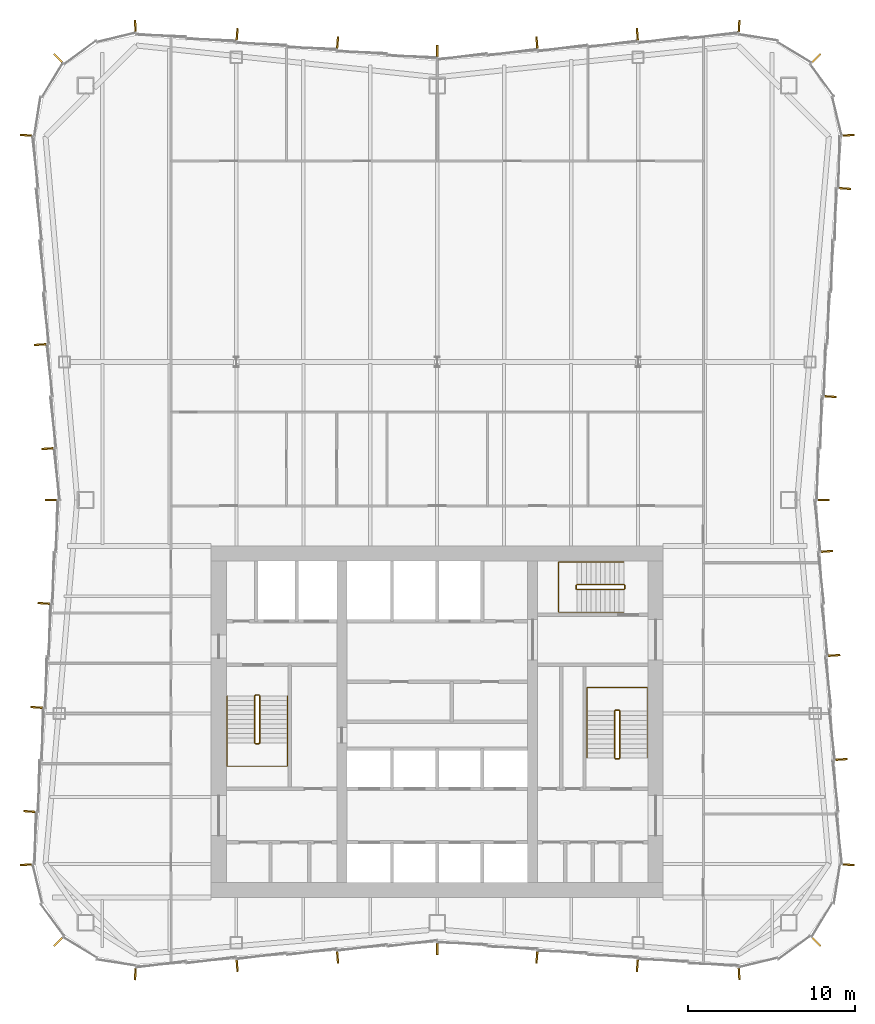
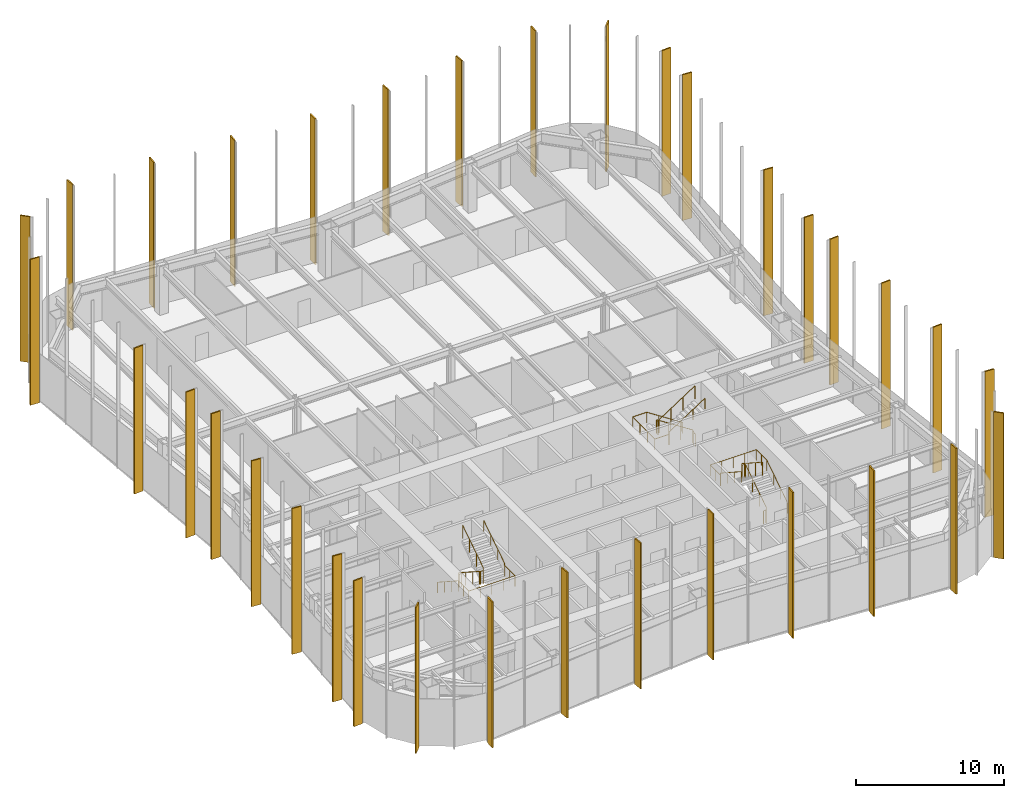
# One storey, part 13 of 13: 34 shading devices, 6 railings.
"""IFC4 building model written with IfcOpenShell, lengths in metres."""

from ifc_helpers import new_model, si_unit, direction, frame, origin, origin_2d, place, context, subcontext, project, spatial, rectangle, circle, extrude, material, layer, layer_set, type_object, element, save


model = new_model("IFC4")

# Units and contexts
model_context = context("Model", 3, precision=1e-05, world=origin(), true_north=direction((0.0, 1.0)))
body_context = subcontext(model_context, "Body", "Model", "MODEL_VIEW")
ifc_project = project(units=[si_unit("LENGTHUNIT", "METRE"), si_unit("AREAUNIT", "SQUARE_METRE"), si_unit("VOLUMEUNIT", "CUBIC_METRE"), si_unit("PLANEANGLEUNIT", "RADIAN"), si_unit("MASSUNIT", "GRAM", prefix="KILO")], contexts=[model_context])

# Site, building, storey
site_placement = place(None, origin())
site = spatial("IfcSite", under=ifc_project, at=site_placement, CompositionType="ELEMENT")
building_placement = place(site_placement, origin())
building = spatial("IfcBuilding", under=site, at=building_placement, Name="Verdant Reach Tower", CompositionType="ELEMENT")
storey_placement = place(building_placement, frame((0.0, 0.0, 194.0)))
storey = spatial("IfcBuildingStorey", under=building, at=storey_placement, Name="L44", CompositionType="ELEMENT", Elevation=194.0)

# Railings
ifc_material_1 = material(Name="Stainless steel", Category="steel")
railing_type_1 = type_object("IfcRailingType", Name="CO-GUARD", PredefinedType="GUARDRAIL", material=ifc_material_1)
railing_1_placement = place(storey_placement, frame((-10.64990234375, 29.60009765625, 0.0)))
element("IfcRailing", 1, at=railing_1_placement, inside=storey, type_object=railing_type_1, Name="L44 ST-1 stair guard 1", PredefinedType="GUARDRAIL", context=body_context, shape_type="SweptSolid", body=[
    extrude(circle(Radius=0.02392578125, at=origin_2d()), frame((0.0, 0.0, 1.076171875), z_axis=(-1.0, 0.0, 0.0), x_axis=(0.0, -1.0, 0.0)), (0.0, 0.0, 1.0), 0.2001953125),
    extrude(circle(Radius=0.02392578125, at=origin_2d()), frame((-0.2001953125, 0.0, 1.076171875), z_axis=(-0.25526617399, -0.256517478764, 0.932222056972), x_axis=(0.708833529934, -0.705375805398, 0.0)), (0.0, 0.0, 1.0), 0.195068359375),
    extrude(circle(Radius=0.02392578125, at=origin_2d()), frame((-0.25, -0.050048828125, 1.2578125), z_axis=(0.0, -0.838705829183, 0.544584733623), x_axis=(1.0, 0.0, 0.0)), (0.0, 0.0, 1.0), 3.338623046875),
    extrude(circle(Radius=0.02392578125, at=origin_2d()), frame((-0.25, -2.85009765625, 3.076171875), z_axis=(0.705375805398, -0.708833529934, 0.0), x_axis=(0.708833529934, 0.705375805398, 0.0)), (0.0, 0.0, 1.0), 0.070556640625),
    extrude(circle(Radius=0.02392578125, at=origin_2d()), frame((-0.2001953125, -2.900146484375, 3.076171875), z_axis=(1.0, 0.0, 0.0), x_axis=(0.0, 1.0, 0.0)), (0.0, 0.0, 1.0), 0.2001953125),
    extrude(circle(Radius=0.02392578125, at=origin_2d()), frame((0.0, -2.900146484375, 3.076171875), z_axis=(0.25526617399, 0.256517478764, 0.932222056972), x_axis=(-0.708833529934, 0.705375805398, 0.0)), (0.0, 0.0, 1.0), 0.195068359375),
    extrude(circle(Radius=0.02392578125, at=origin_2d()), frame((0.0498046875, -2.85009765625, 3.2578125), z_axis=(0.0, 0.838705829183, 0.544584733623), x_axis=(-1.0, 0.0, 0.0)), (0.0, 0.0, 1.0), 3.338623046875),
    extrude(circle(Radius=0.02099609375, at=origin_2d()), origin(), (0.0, 0.0, 1.0), 1.052001953125),
    extrude(circle(Radius=0.02099609375, at=origin_2d()), frame((-0.2001953125, 0.0, 0.0)), (0.0, 0.0, 1.0), 1.052001953125),
    extrude(circle(Radius=0.02099609375, at=origin_2d()), frame((-0.25, -0.050048828125, 0.181884765625)), (0.0, 0.0, 1.0), 1.052001953125),
    extrude(circle(Radius=0.02099609375, at=origin_2d()), frame((-0.25, -0.9833984375, 0.787841796875)), (0.0, 0.0, 1.0), 1.052001953125),
    extrude(circle(Radius=0.02099609375, at=origin_2d()), frame((-0.25, -1.916748046875, 1.39404296875)), (0.0, 0.0, 1.0), 1.052001953125),
    extrude(circle(Radius=0.02099609375, at=origin_2d()), frame((-0.25, -2.85009765625, 2.0)), (0.0, 0.0, 1.0), 1.052001953125),
    extrude(circle(Radius=0.02099609375, at=origin_2d()), frame((-0.2001953125, -2.900146484375, 2.0)), (0.0, 0.0, 1.0), 1.052001953125),
    extrude(circle(Radius=0.02099609375, at=origin_2d()), frame((0.0, -2.900146484375, 2.0)), (0.0, 0.0, 1.0), 1.052001953125),
    extrude(circle(Radius=0.02099609375, at=origin_2d()), frame((0.0498046875, -2.85009765625, 2.181884765625)), (0.0, 0.0, 1.0), 1.052001953125),
    extrude(circle(Radius=0.02099609375, at=origin_2d()), frame((0.0498046875, -1.916748046875, 2.787841796875)), (0.0, 0.0, 1.0), 1.052001953125),
    extrude(circle(Radius=0.02099609375, at=origin_2d()), frame((0.0498046875, -0.9833984375, 3.39404296875)), (0.0, 0.0, 1.0), 1.052001953125),
    extrude(circle(Radius=0.02099609375, at=origin_2d()), frame((0.0498046875, -0.050048828125, 4.0)), (0.0, 0.0, 1.0), 1.052001953125),
])
railing_2_placement = place(storey_placement, frame((10.64990234375, 25.800048828125, 0.0)))
element("IfcRailing", 2, at=railing_2_placement, inside=storey, type_object=railing_type_1, Name="L44 ST-2 stair guard 1", PredefinedType="GUARDRAIL", context=body_context, shape_type="SweptSolid", body=[
    extrude(circle(Radius=0.02392578125, at=origin_2d()), frame((0.0, 0.0, 1.076171875), z_axis=(1.0, 0.0, 0.0), x_axis=(0.0, 1.0, 0.0)), (0.0, 0.0, 1.0), 0.2001953125),
    extrude(circle(Radius=0.02392578125, at=origin_2d()), frame((0.2001953125, 0.0, 1.076171875), z_axis=(0.25526617399, 0.256517478764, 0.932222056972), x_axis=(-0.708833529934, 0.705375805398, 0.0)), (0.0, 0.0, 1.0), 0.195068359375),
    extrude(circle(Radius=0.02392578125, at=origin_2d()), frame((0.25, 0.050048828125, 1.2578125), z_axis=(0.0, 0.83868413941, 0.544618136222), x_axis=(-1.0, 0.0, 0.0)), (0.0, 0.0, 1.0), 3.33837890625),
    extrude(circle(Radius=0.02392578125, at=origin_2d()), frame((0.25, 2.849853515625, 3.076171875), z_axis=(-0.705375805398, 0.708833529934, 0.0), x_axis=(-0.708833529934, -0.705375805398, 0.0)), (0.0, 0.0, 1.0), 0.070556640625),
    extrude(circle(Radius=0.02392578125, at=origin_2d()), frame((0.2001953125, 2.89990234375, 3.076171875), z_axis=(-1.0, 0.0, 0.0), x_axis=(0.0, -1.0, 0.0)), (0.0, 0.0, 1.0), 0.2001953125),
    extrude(circle(Radius=0.02392578125, at=origin_2d()), frame((0.0, 2.89990234375, 3.076171875), z_axis=(-0.25526617399, -0.256517478764, 0.932222056972), x_axis=(0.708833529934, -0.705375805398, 0.0)), (0.0, 0.0, 1.0), 0.195068359375),
    extrude(circle(Radius=0.02392578125, at=origin_2d()), frame((-0.0498046875, 2.849853515625, 3.2578125), z_axis=(0.0, -0.83868413941, 0.544618136222), x_axis=(1.0, 0.0, 0.0)), (0.0, 0.0, 1.0), 3.33837890625),
    extrude(circle(Radius=0.02099609375, at=origin_2d()), origin(), (0.0, 0.0, 1.0), 1.052001953125),
    extrude(circle(Radius=0.02099609375, at=origin_2d()), frame((0.2001953125, 0.0, 0.0)), (0.0, 0.0, 1.0), 1.052001953125),
    extrude(circle(Radius=0.02099609375, at=origin_2d()), frame((0.25, 0.050048828125, 0.181884765625)), (0.0, 0.0, 1.0), 1.052001953125),
    extrude(circle(Radius=0.02099609375, at=origin_2d()), frame((0.25, 0.9833984375, 0.787841796875)), (0.0, 0.0, 1.0), 1.052001953125),
    extrude(circle(Radius=0.02099609375, at=origin_2d()), frame((0.25, 1.91650390625, 1.39404296875)), (0.0, 0.0, 1.0), 1.052001953125),
    extrude(circle(Radius=0.02099609375, at=origin_2d()), frame((0.25, 2.849853515625, 2.0)), (0.0, 0.0, 1.0), 1.052001953125),
    extrude(circle(Radius=0.02099609375, at=origin_2d()), frame((0.2001953125, 2.89990234375, 2.0)), (0.0, 0.0, 1.0), 1.052001953125),
    extrude(circle(Radius=0.02099609375, at=origin_2d()), frame((0.0, 2.89990234375, 2.0)), (0.0, 0.0, 1.0), 1.052001953125),
    extrude(circle(Radius=0.02099609375, at=origin_2d()), frame((-0.0498046875, 2.849853515625, 2.181884765625)), (0.0, 0.0, 1.0), 1.052001953125),
    extrude(circle(Radius=0.02099609375, at=origin_2d()), frame((-0.0498046875, 1.91650390625, 2.787841796875)), (0.0, 0.0, 1.0), 1.052001953125),
    extrude(circle(Radius=0.02099609375, at=origin_2d()), frame((-0.0498046875, 0.9833984375, 3.39404296875)), (0.0, 0.0, 1.0), 1.052001953125),
    extrude(circle(Radius=0.02099609375, at=origin_2d()), frame((-0.0498046875, 0.050048828125, 4.0)), (0.0, 0.0, 1.0), 1.052001953125),
])
railing_3_placement = place(storey_placement, frame((11.199951171875, 35.949951171875, 0.0)))
element("IfcRailing", 3, at=railing_3_placement, inside=storey, type_object=railing_type_1, Name="L44 ST-3 stair guard 1", PredefinedType="GUARDRAIL", context=body_context, shape_type="SweptSolid", body=[
    extrude(circle(Radius=0.02392578125, at=origin_2d()), frame((0.0, 0.0, 1.076171875), z_axis=(0.0, 1.0, 0.0), x_axis=(-1.0, 0.0, 0.0)), (0.0, 0.0, 1.0), 0.199951171875),
    extrude(circle(Radius=0.02392578125, at=origin_2d()), frame((0.0, 0.199951171875, 1.076171875), z_axis=(-0.256435381639, 0.256435381639, 0.931923704005), x_axis=(-0.707106781187, -0.707106781187, 0.0)), (0.0, 0.0, 1.0), 0.195068359375),
    extrude(circle(Radius=0.02392578125, at=origin_2d()), frame((-0.050048828125, 0.25, 1.2578125), z_axis=(-0.83868413941, 0.0, 0.544618136222), x_axis=(0.0, -1.0, 0.0)), (0.0, 0.0, 1.0), 3.33837890625),
    extrude(circle(Radius=0.02392578125, at=origin_2d()), frame((-2.849853515625, 0.25, 3.076171875), z_axis=(-0.707106781187, -0.707106781187, 0.0), x_axis=(0.707106781187, -0.707106781187, 0.0)), (0.0, 0.0, 1.0), 0.07080078125),
    extrude(circle(Radius=0.02392578125, at=origin_2d()), frame((-2.89990234375, 0.199951171875, 3.076171875), z_axis=(0.0, -1.0, 0.0), x_axis=(1.0, 0.0, 0.0)), (0.0, 0.0, 1.0), 0.199951171875),
    extrude(circle(Radius=0.02392578125, at=origin_2d()), frame((-2.89990234375, 0.0, 3.076171875), z_axis=(0.256435381639, -0.256435381639, 0.931923704005), x_axis=(0.707106781187, 0.707106781187, 0.0)), (0.0, 0.0, 1.0), 0.195068359375),
    extrude(circle(Radius=0.02392578125, at=origin_2d()), frame((-2.849853515625, -0.050048828125, 3.2578125), z_axis=(0.83868413941, 0.0, 0.544618136222), x_axis=(0.0, 1.0, 0.0)), (0.0, 0.0, 1.0), 3.33837890625),
    extrude(circle(Radius=0.02099609375, at=origin_2d()), origin(), (0.0, 0.0, 1.0), 1.052001953125),
    extrude(circle(Radius=0.02099609375, at=origin_2d()), frame((0.0, 0.199951171875, 0.0)), (0.0, 0.0, 1.0), 1.052001953125),
    extrude(circle(Radius=0.02099609375, at=origin_2d()), frame((-0.050048828125, 0.25, 0.181884765625)), (0.0, 0.0, 1.0), 1.052001953125),
    extrude(circle(Radius=0.02099609375, at=origin_2d()), frame((-0.9833984375, 0.25, 0.787841796875)), (0.0, 0.0, 1.0), 1.052001953125),
    extrude(circle(Radius=0.02099609375, at=origin_2d()), frame((-1.91650390625, 0.25, 1.39404296875)), (0.0, 0.0, 1.0), 1.052001953125),
    extrude(circle(Radius=0.02099609375, at=origin_2d()), frame((-2.849853515625, 0.25, 2.0)), (0.0, 0.0, 1.0), 1.052001953125),
    extrude(circle(Radius=0.02099609375, at=origin_2d()), frame((-2.89990234375, 0.199951171875, 2.0)), (0.0, 0.0, 1.0), 1.052001953125),
    extrude(circle(Radius=0.02099609375, at=origin_2d()), frame((-2.89990234375, 0.0, 2.0)), (0.0, 0.0, 1.0), 1.052001953125),
    extrude(circle(Radius=0.02099609375, at=origin_2d()), frame((-2.849853515625, -0.050048828125, 2.181884765625)), (0.0, 0.0, 1.0), 1.052001953125),
    extrude(circle(Radius=0.02099609375, at=origin_2d()), frame((-1.91650390625, -0.050048828125, 2.787841796875)), (0.0, 0.0, 1.0), 1.052001953125),
    extrude(circle(Radius=0.02099609375, at=origin_2d()), frame((-0.9833984375, -0.050048828125, 3.39404296875)), (0.0, 0.0, 1.0), 1.052001953125),
    extrude(circle(Radius=0.02099609375, at=origin_2d()), frame((-0.050048828125, -0.050048828125, 4.0)), (0.0, 0.0, 1.0), 1.052001953125),
])
railing_type_2 = type_object("IfcRailingType", Name="CO-HANDRAIL", PredefinedType="HANDRAIL", material=ifc_material_1)
railing_4_placement = place(storey_placement, frame((-12.550048828125, 29.550048828125, 0.181884765625)))
element("IfcRailing", 4, at=railing_4_placement, inside=storey, type_object=railing_type_2, Name="L44 ST-1 stair handrail 1", PredefinedType="HANDRAIL", context=body_context, shape_type="SweptSolid", body=[
    extrude(circle(Radius=0.02392578125, at=origin_2d()), frame((0.0, 0.0, 0.8759765625), z_axis=(0.0, -0.838705829183, 0.544584733623), x_axis=(1.0, 0.0, 0.0)), (0.0, 0.0, 1.0), 3.338623046875),
    extrude(circle(Radius=0.02392578125, at=origin_2d()), frame((0.0, -2.800048828125, 2.69384765625), z_axis=(0.0, -1.0, 0.0), x_axis=(1.0, 0.0, 0.0)), (0.0, 0.0, 1.0), 1.39990234375),
    extrude(circle(Radius=0.02392578125, at=origin_2d()), frame((0.0, -4.199951171875, 2.69384765625), z_axis=(1.0, 0.0, 0.0), x_axis=(0.0, 1.0, 0.0)), (0.0, 0.0, 1.0), 3.60009765625),
    extrude(circle(Radius=0.02392578125, at=origin_2d()), frame((3.60009765625, -4.199951171875, 2.69384765625), z_axis=(0.0, 1.0, 0.0), x_axis=(-1.0, 0.0, 0.0)), (0.0, 0.0, 1.0), 1.39990234375),
    extrude(circle(Radius=0.02392578125, at=origin_2d()), frame((3.60009765625, -2.800048828125, 2.69384765625), z_axis=(0.0, 0.0, 1.0), x_axis=(1.0, 0.0, 0.0)), (0.0, 0.0, 1.0), 0.181884765625),
    extrude(circle(Radius=0.02392578125, at=origin_2d()), frame((3.60009765625, -2.800048828125, 2.8759765625), z_axis=(0.0, 0.838705829183, 0.544584733623), x_axis=(-1.0, 0.0, 0.0)), (0.0, 0.0, 1.0), 3.338623046875),
    extrude(circle(Radius=0.02099609375, at=origin_2d()), origin(), (0.0, 0.0, 1.0), 0.851806640625),
    extrude(circle(Radius=0.02099609375, at=origin_2d()), frame((0.0, -0.933349609375, 0.60595703125)), (0.0, 0.0, 1.0), 0.851806640625),
    extrude(circle(Radius=0.02099609375, at=origin_2d()), frame((0.0, -1.86669921875, 1.212158203125)), (0.0, 0.0, 1.0), 0.851806640625),
    extrude(circle(Radius=0.02099609375, at=origin_2d()), frame((0.0, -2.800048828125, 1.818115234375)), (0.0, 0.0, 1.0), 0.851806640625),
    extrude(circle(Radius=0.02099609375, at=origin_2d()), frame((0.0, -3.5, 1.818115234375)), (0.0, 0.0, 1.0), 0.851806640625),
    extrude(circle(Radius=0.02099609375, at=origin_2d()), frame((0.0, -4.199951171875, 1.818115234375)), (0.0, 0.0, 1.0), 0.851806640625),
    extrude(circle(Radius=0.02099609375, at=origin_2d()), frame((0.89990234375, -4.199951171875, 1.818115234375)), (0.0, 0.0, 1.0), 0.851806640625),
    extrude(circle(Radius=0.02099609375, at=origin_2d()), frame((1.800048828125, -4.199951171875, 1.818115234375)), (0.0, 0.0, 1.0), 0.851806640625),
    extrude(circle(Radius=0.02099609375, at=origin_2d()), frame((2.7001953125, -4.199951171875, 1.818115234375)), (0.0, 0.0, 1.0), 0.851806640625),
    extrude(circle(Radius=0.02099609375, at=origin_2d()), frame((3.60009765625, -4.199951171875, 1.818115234375)), (0.0, 0.0, 1.0), 0.851806640625),
    extrude(circle(Radius=0.02099609375, at=origin_2d()), frame((3.60009765625, -3.5, 1.818115234375)), (0.0, 0.0, 1.0), 0.851806640625),
    extrude(circle(Radius=0.02099609375, at=origin_2d()), frame((3.60009765625, -2.800048828125, 1.818115234375)), (0.0, 0.0, 1.0), 0.851806640625),
    extrude(circle(Radius=0.02099609375, at=origin_2d()), frame((3.60009765625, -2.800048828125, 2.0)), (0.0, 0.0, 1.0), 0.851806640625),
    extrude(circle(Radius=0.02099609375, at=origin_2d()), frame((3.60009765625, -1.86669921875, 2.60595703125)), (0.0, 0.0, 1.0), 0.851806640625),
    extrude(circle(Radius=0.02099609375, at=origin_2d()), frame((3.60009765625, -0.933349609375, 3.212158203125)), (0.0, 0.0, 1.0), 0.851806640625),
    extrude(circle(Radius=0.02099609375, at=origin_2d()), frame((3.60009765625, 0.0, 3.818115234375)), (0.0, 0.0, 1.0), 0.851806640625),
])
railing_5_placement = place(storey_placement, frame((12.550048828125, 25.85009765625, 0.181884765625)))
element("IfcRailing", 5, at=railing_5_placement, inside=storey, type_object=railing_type_2, Name="L44 ST-2 stair handrail 1", PredefinedType="HANDRAIL", context=body_context, shape_type="SweptSolid", body=[
    extrude(circle(Radius=0.02392578125, at=origin_2d()), frame((0.0, 0.0, 0.8759765625), z_axis=(0.0, 0.83868413941, 0.544618136222), x_axis=(-1.0, 0.0, 0.0)), (0.0, 0.0, 1.0), 3.33837890625),
    extrude(circle(Radius=0.02392578125, at=origin_2d()), frame((0.0, 2.7998046875, 2.69384765625), z_axis=(0.0, 1.0, 0.0), x_axis=(-1.0, 0.0, 0.0)), (0.0, 0.0, 1.0), 1.400146484375),
    extrude(circle(Radius=0.02392578125, at=origin_2d()), frame((0.0, 4.199951171875, 2.69384765625), z_axis=(-1.0, 0.0, 0.0), x_axis=(0.0, -1.0, 0.0)), (0.0, 0.0, 1.0), 3.60009765625),
    extrude(circle(Radius=0.02392578125, at=origin_2d()), frame((-3.60009765625, 4.199951171875, 2.69384765625), z_axis=(0.0, -1.0, 0.0), x_axis=(1.0, 0.0, 0.0)), (0.0, 0.0, 1.0), 1.400146484375),
    extrude(circle(Radius=0.02392578125, at=origin_2d()), frame((-3.60009765625, 2.7998046875, 2.69384765625), z_axis=(0.0, 0.0, 1.0), x_axis=(1.0, 0.0, 0.0)), (0.0, 0.0, 1.0), 0.181884765625),
    extrude(circle(Radius=0.02392578125, at=origin_2d()), frame((-3.60009765625, 2.7998046875, 2.8759765625), z_axis=(0.0, -0.83868413941, 0.544618136222), x_axis=(1.0, 0.0, 0.0)), (0.0, 0.0, 1.0), 3.33837890625),
    extrude(circle(Radius=0.02099609375, at=origin_2d()), origin(), (0.0, 0.0, 1.0), 0.851806640625),
    extrude(circle(Radius=0.02099609375, at=origin_2d()), frame((0.0, 0.933349609375, 0.60595703125)), (0.0, 0.0, 1.0), 0.851806640625),
    extrude(circle(Radius=0.02099609375, at=origin_2d()), frame((0.0, 1.866455078125, 1.212158203125)), (0.0, 0.0, 1.0), 0.851806640625),
    extrude(circle(Radius=0.02099609375, at=origin_2d()), frame((0.0, 2.7998046875, 1.818115234375)), (0.0, 0.0, 1.0), 0.851806640625),
    extrude(circle(Radius=0.02099609375, at=origin_2d()), frame((0.0, 3.5, 1.818115234375)), (0.0, 0.0, 1.0), 0.851806640625),
    extrude(circle(Radius=0.02099609375, at=origin_2d()), frame((0.0, 4.199951171875, 1.818115234375)), (0.0, 0.0, 1.0), 0.851806640625),
    extrude(circle(Radius=0.02099609375, at=origin_2d()), frame((-0.89990234375, 4.199951171875, 1.818115234375)), (0.0, 0.0, 1.0), 0.851806640625),
    extrude(circle(Radius=0.02099609375, at=origin_2d()), frame((-1.800048828125, 4.199951171875, 1.818115234375)), (0.0, 0.0, 1.0), 0.851806640625),
    extrude(circle(Radius=0.02099609375, at=origin_2d()), frame((-2.7001953125, 4.199951171875, 1.818115234375)), (0.0, 0.0, 1.0), 0.851806640625),
    extrude(circle(Radius=0.02099609375, at=origin_2d()), frame((-3.60009765625, 4.199951171875, 1.818115234375)), (0.0, 0.0, 1.0), 0.851806640625),
    extrude(circle(Radius=0.02099609375, at=origin_2d()), frame((-3.60009765625, 3.5, 1.818115234375)), (0.0, 0.0, 1.0), 0.851806640625),
    extrude(circle(Radius=0.02099609375, at=origin_2d()), frame((-3.60009765625, 2.7998046875, 1.818115234375)), (0.0, 0.0, 1.0), 0.851806640625),
    extrude(circle(Radius=0.02099609375, at=origin_2d()), frame((-3.60009765625, 2.7998046875, 2.0)), (0.0, 0.0, 1.0), 0.851806640625),
    extrude(circle(Radius=0.02099609375, at=origin_2d()), frame((-3.60009765625, 1.866455078125, 2.60595703125)), (0.0, 0.0, 1.0), 0.851806640625),
    extrude(circle(Radius=0.02099609375, at=origin_2d()), frame((-3.60009765625, 0.933349609375, 3.212158203125)), (0.0, 0.0, 1.0), 0.851806640625),
    extrude(circle(Radius=0.02099609375, at=origin_2d()), frame((-3.60009765625, 0.0, 3.818115234375)), (0.0, 0.0, 1.0), 0.851806640625),
])
railing_6_placement = place(storey_placement, frame((11.14990234375, 37.550048828125, 0.181884765625)))
element("IfcRailing", 6, at=railing_6_placement, inside=storey, type_object=railing_type_2, Name="L44 ST-3 stair handrail 1", PredefinedType="HANDRAIL", context=body_context, shape_type="SweptSolid", body=[
    extrude(circle(Radius=0.02392578125, at=origin_2d()), frame((0.0, 0.0, 0.8759765625), z_axis=(-0.83868413941, 0.0, 0.544618136222), x_axis=(0.0, -1.0, 0.0)), (0.0, 0.0, 1.0), 3.33837890625),
    extrude(circle(Radius=0.02392578125, at=origin_2d()), frame((-2.7998046875, 0.0, 2.69384765625), z_axis=(-1.0, 0.0, 0.0), x_axis=(0.0, -1.0, 0.0)), (0.0, 0.0, 1.0), 1.10009765625),
    extrude(circle(Radius=0.02392578125, at=origin_2d()), frame((-3.89990234375, 0.0, 2.69384765625), z_axis=(0.0, -1.0, 0.0), x_axis=(1.0, 0.0, 0.0)), (0.0, 0.0, 1.0), 3.0),
    extrude(circle(Radius=0.02392578125, at=origin_2d()), frame((-3.89990234375, -3.0, 2.69384765625), z_axis=(1.0, 0.0, 0.0), x_axis=(0.0, 1.0, 0.0)), (0.0, 0.0, 1.0), 1.10009765625),
    extrude(circle(Radius=0.02392578125, at=origin_2d()), frame((-2.7998046875, -3.0, 2.69384765625), z_axis=(0.0, 0.0, 1.0), x_axis=(1.0, 0.0, 0.0)), (0.0, 0.0, 1.0), 0.181884765625),
    extrude(circle(Radius=0.02392578125, at=origin_2d()), frame((-2.7998046875, -3.0, 2.8759765625), z_axis=(0.83868413941, 0.0, 0.544618136222), x_axis=(0.0, 1.0, 0.0)), (0.0, 0.0, 1.0), 3.33837890625),
    extrude(circle(Radius=0.02099609375, at=origin_2d()), origin(), (0.0, 0.0, 1.0), 0.851806640625),
    extrude(circle(Radius=0.02099609375, at=origin_2d()), frame((-0.933349609375, 0.0, 0.60595703125)), (0.0, 0.0, 1.0), 0.851806640625),
    extrude(circle(Radius=0.02099609375, at=origin_2d()), frame((-1.866455078125, 0.0, 1.212158203125)), (0.0, 0.0, 1.0), 0.851806640625),
    extrude(circle(Radius=0.02099609375, at=origin_2d()), frame((-2.7998046875, 0.0, 1.818115234375)), (0.0, 0.0, 1.0), 0.851806640625),
    extrude(circle(Radius=0.02099609375, at=origin_2d()), frame((-3.89990234375, 0.0, 1.818115234375)), (0.0, 0.0, 1.0), 0.851806640625),
    extrude(circle(Radius=0.02099609375, at=origin_2d()), frame((-3.89990234375, -1.0, 1.818115234375)), (0.0, 0.0, 1.0), 0.851806640625),
    extrude(circle(Radius=0.02099609375, at=origin_2d()), frame((-3.89990234375, -2.0, 1.818115234375)), (0.0, 0.0, 1.0), 0.851806640625),
    extrude(circle(Radius=0.02099609375, at=origin_2d()), frame((-3.89990234375, -3.0, 1.818115234375)), (0.0, 0.0, 1.0), 0.851806640625),
    extrude(circle(Radius=0.02099609375, at=origin_2d()), frame((-2.7998046875, -3.0, 1.818115234375)), (0.0, 0.0, 1.0), 0.851806640625),
    extrude(circle(Radius=0.02099609375, at=origin_2d()), frame((-2.7998046875, -3.0, 2.0)), (0.0, 0.0, 1.0), 0.851806640625),
    extrude(circle(Radius=0.02099609375, at=origin_2d()), frame((-1.866455078125, -3.0, 2.60595703125)), (0.0, 0.0, 1.0), 0.851806640625),
    extrude(circle(Radius=0.02099609375, at=origin_2d()), frame((-0.933349609375, -3.0, 3.212158203125)), (0.0, 0.0, 1.0), 0.851806640625),
    extrude(circle(Radius=0.02099609375, at=origin_2d()), frame((0.0, -3.0, 3.818115234375)), (0.0, 0.0, 1.0), 0.851806640625),
])

# Shading devices
ifc_material_2 = material(Name="Bronze fin, champagne", Category="aluminium")
ifc_layer_1 = layer(ifc_material_2, 0.10009765625)
ifc_layer_set_1 = layer_set([ifc_layer_1], Name="EN-FIN CHAMPAGNE")
shading_device_type_1 = type_object("IfcShadingDeviceType", Name="EN-FIN CHAMPAGNE", PredefinedType="USERDEFINED", material=ifc_layer_set_1)
for number, where, z_axis, x_axis, name in (
    (7, (18.0322265625, 12.932861328125, -0.35009765625), (0.0, 0.0, 1.0), (0.998398681387, 0.056569187765, 0.0), "Fin south-east corner 1, L44"),
    (8, (23.281005859375, 38.181884765625, -0.35009765625), (0.0, 0.0, 1.0), (-0.068802091615, 0.997630328423, 0.0), "Fin east face part 1 7, L44"),
    (9, (23.068115234375, 41.25, -0.35009765625), (0.0, 0.0, 1.0), (0.0, 1.0, 0.0), "Fin east face part 2 1, L44"),
    (10, (5.952880859375, 68.56591796875, -0.35009765625), (0.0, 0.0, 1.0), (-0.996545758244, -0.083045479859, 0.0), "Fin north face part 1 5, L44"),
    (11, (-23.923828125, 28.860595703125, -0.35009765625), (0.0, 0.0, 1.0), (-0.068802091615, -0.997630328423, 0.0), "Fin west face part 2 5, L44"),
    (12, (-22.644287109375, 14.855712890625, -0.35009765625), (0.0, 0.0, 1.0), (0.707106781187, -0.707106781187, 0.0), "Fin south-west corner 3, L44"),
    (13, (-18.0322265625, 12.932861328125, -0.35009765625), (0.0, 0.0, 1.0), (0.998398681387, -0.056569187765, 0.0), "Fin south face part 1 1, L44"),
    (14, (5.952880859375, 13.93408203125, -0.35009765625), (0.0, 0.0, 1.0), (0.996545758244, -0.083045479859, 0.0), "Fin south face part 2 3, L44"),
):
    element("IfcShadingDevice", number, at=place(storey_placement, frame(where, z_axis=z_axis, x_axis=x_axis)), inside=storey, type_object=shading_device_type_1, Name=name, ObjectType="FIN", PredefinedType="USERDEFINED", context=body_context, shape_type="SweptSolid", body=[
        extrude(rectangle(XDim=0.10009765625, YDim=0.699951171875, at=origin_2d()), origin(), (0.0, 0.0, 1.0), 12.0),
    ])
ifc_material_3 = material(Name="Bronze fin, copper", Category="aluminium")
ifc_layer_2 = layer(ifc_material_3, 0.10009765625)
ifc_layer_set_2 = layer_set([ifc_layer_2], Name="EN-FIN COPPER")
shading_device_type_2 = type_object("IfcShadingDeviceType", Name="EN-FIN COPPER", PredefinedType="USERDEFINED", material=ifc_layer_set_2)
for number, where, z_axis, x_axis, name in (
    (15, (22.644287109375, 14.855712890625, -0.35009765625), (0.0, 0.0, 1.0), (0.707106781187, 0.707106781187, 0.0), "Fin south-east corner 3, L44"),
    (16, (24.56689453125, 19.4638671875, -0.35009765625), (0.0, 0.0, 1.0), (0.063698618332, 0.997969180898, 0.0), "Fin east face part 1 1, L44"),
    (17, (24.13818359375, 25.75341796875, -0.35009765625), (0.0, 0.0, 1.0), (-0.068802091615, 0.997630328423, 0.0), "Fin east face part 1 3, L44"),
    (18, (23.4951171875, 47.42529296875, -0.35009765625), (0.0, 0.0, 1.0), (0.068802091615, 0.997630328423, 0.0), "Fin east face part 2 3, L44"),
    (19, (24.56689453125, 63.0361328125, -0.35009765625), (0.0, 0.0, 1.0), (-0.063698618332, 0.997969180898, 0.0), "Fin north-east corner 1, L44"),
    (20, (22.644287109375, 67.644287109375, -0.35009765625), (0.0, 0.0, 1.0), (-0.707106781187, 0.707106781187, 0.0), "Fin north-east corner 3, L44"),
    (21, (18.0322265625, 69.567138671875, -0.35009765625), (0.0, 0.0, 1.0), (-0.998398681387, 0.056569187765, 0.0), "Fin north face part 1 1, L44"),
    (22, (0.0, 68.068115234375, -0.35009765625), (0.0, 0.0, 1.0), (-1.0, 0.0, 0.0), "Fin north face part 2 1, L44"),
    (23, (-18.0322265625, 69.567138671875, -0.35009765625), (0.0, 0.0, 1.0), (-0.998398681387, -0.056569187765, 0.0), "Fin north-west corner 1, L44"),
    (24, (-23.70947265625, 50.532470703125, -0.35009765625), (0.0, 0.0, 1.0), (0.068802091615, -0.997630328423, 0.0), "Fin west face part 1 5, L44"),
    (25, (-23.281005859375, 44.318115234375, -0.35009765625), (0.0, 0.0, 1.0), (0.068802091615, -0.997630328423, 0.0), "Fin west face part 1 7, L44"),
    (26, (-23.068115234375, 41.25, -0.35009765625), (0.0, 0.0, 1.0), (0.0, -1.0, 0.0), "Fin west face part 2 1, L44"),
    (27, (-24.352294921875, 22.646240234375, -0.35009765625), (0.0, 0.0, 1.0), (-0.068802091615, -0.997630328423, 0.0), "Fin west face part 2 7, L44"),
    (28, (-11.952880859375, 13.43408203125, -0.35009765625), (0.0, 0.0, 1.0), (0.996545758244, 0.083045479859, 0.0), "Fin south face part 1 3, L44"),
    (29, (11.952880859375, 13.43408203125, -0.35009765625), (0.0, 0.0, 1.0), (0.996545758244, -0.083045479859, 0.0), "Fin south face part 2 5, L44"),
):
    element("IfcShadingDevice", number, at=place(storey_placement, frame(where, z_axis=z_axis, x_axis=x_axis)), inside=storey, type_object=shading_device_type_2, Name=name, ObjectType="FIN", PredefinedType="USERDEFINED", context=body_context, shape_type="SweptSolid", body=[
        extrude(rectangle(XDim=0.10009765625, YDim=0.699951171875, at=origin_2d()), origin(), (0.0, 0.0, 1.0), 12.0),
    ])
ifc_material_4 = material(Name="Bronze fin, dark bronze", Category="aluminium")
ifc_layer_3 = layer(ifc_material_4, 0.10009765625)
ifc_layer_set_3 = layer_set([ifc_layer_3], Name="EN-FIN DARK")
shading_device_type_3 = type_object("IfcShadingDeviceType", Name="EN-FIN DARK", PredefinedType="USERDEFINED", material=ifc_layer_set_3)
for number, where, z_axis, x_axis, name in (
    (30, (23.70947265625, 31.967529296875, -0.35009765625), (0.0, 0.0, 1.0), (-0.068802091615, 0.997630328423, 0.0), "Fin east face part 1 5, L44"),
    (31, (24.352294921875, 59.853759765625, -0.35009765625), (0.0, 0.0, 1.0), (0.068802091615, 0.997630328423, 0.0), "Fin east face part 2 7, L44"),
    (32, (11.952880859375, 69.06591796875, -0.35009765625), (0.0, 0.0, 1.0), (-0.996545758244, -0.083045479859, 0.0), "Fin north face part 1 3, L44"),
    (33, (-5.952880859375, 68.56591796875, -0.35009765625), (0.0, 0.0, 1.0), (-0.996545758244, 0.083045479859, 0.0), "Fin north face part 2 3, L44"),
    (34, (-11.952880859375, 69.06591796875, -0.35009765625), (0.0, 0.0, 1.0), (-0.996545758244, 0.083045479859, 0.0), "Fin north face part 2 5, L44"),
    (35, (-22.644287109375, 67.644287109375, -0.35009765625), (0.0, 0.0, 1.0), (-0.707106781187, -0.707106781187, 0.0), "Fin north-west corner 3, L44"),
    (36, (-24.56689453125, 63.0361328125, -0.35009765625), (0.0, 0.0, 1.0), (-0.063698618332, -0.997969180898, 0.0), "Fin west face part 1 1, L44"),
    (37, (-23.4951171875, 35.07470703125, -0.35009765625), (0.0, 0.0, 1.0), (-0.068802091615, -0.997630328423, 0.0), "Fin west face part 2 3, L44"),
    (38, (-24.56689453125, 19.4638671875, -0.35009765625), (0.0, 0.0, 1.0), (0.063698618332, -0.997969180898, 0.0), "Fin south-west corner 1, L44"),
    (39, (-5.952880859375, 13.93408203125, -0.35009765625), (0.0, 0.0, 1.0), (0.996545758244, 0.083045479859, 0.0), "Fin south face part 1 5, L44"),
    (40, (0.0, 14.431884765625, -0.35009765625), (0.0, 0.0, 1.0), (1.0, 0.0, 0.0), "Fin south face part 2 1, L44"),
):
    element("IfcShadingDevice", number, at=place(storey_placement, frame(where, z_axis=z_axis, x_axis=x_axis)), inside=storey, type_object=shading_device_type_3, Name=name, ObjectType="FIN", PredefinedType="USERDEFINED", context=body_context, shape_type="SweptSolid", body=[
        extrude(rectangle(XDim=0.10009765625, YDim=0.699951171875, at=origin_2d()), origin(), (0.0, 0.0, 1.0), 12.0),
    ])

save(model, "model.ifc")
